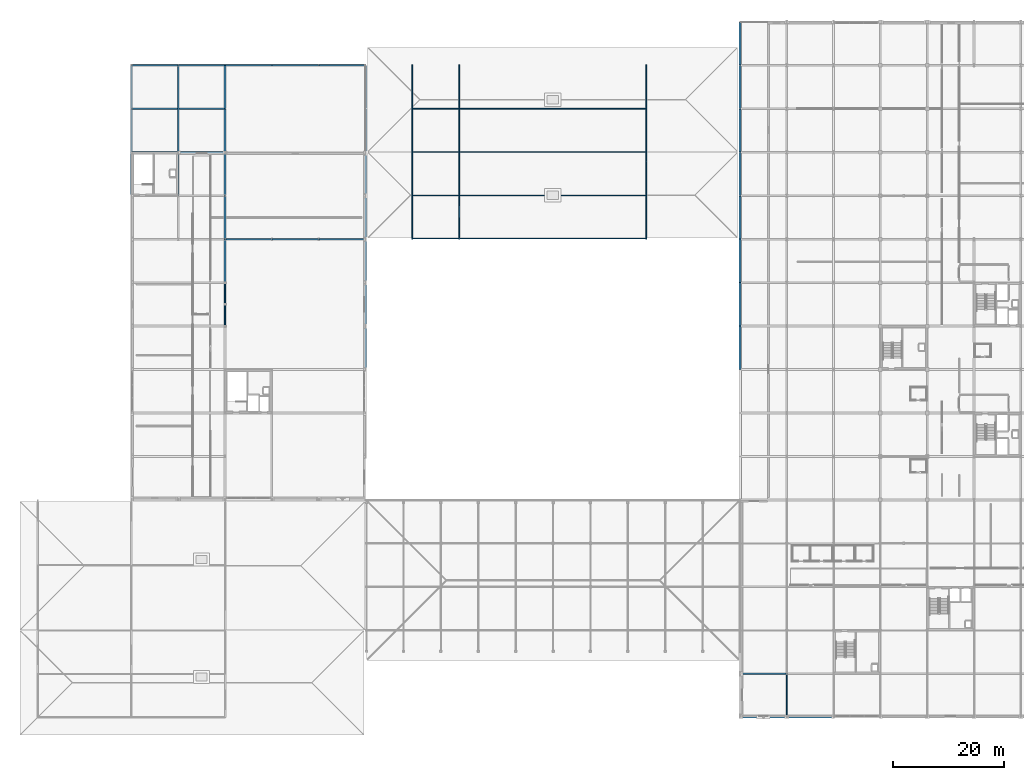
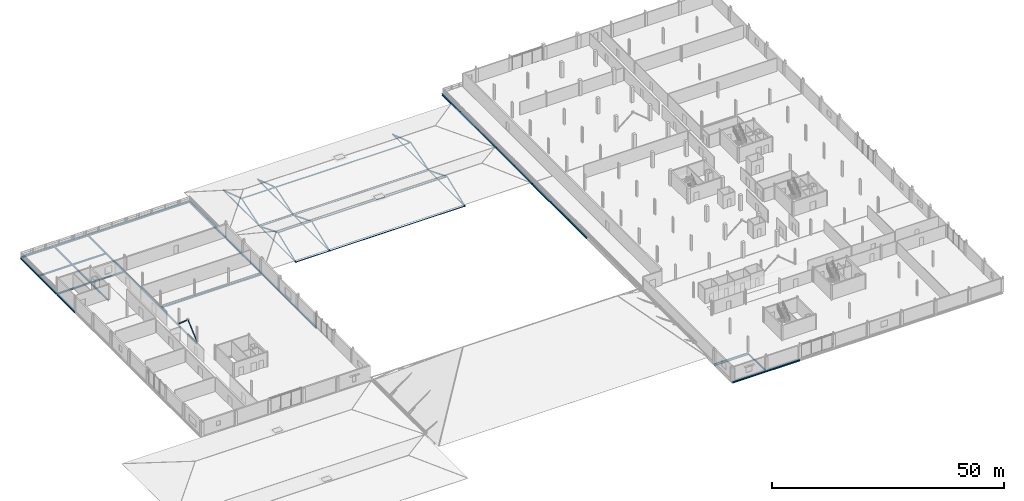
# One storey, part 37 of 77: 41 beams, 24 members.
"""IFC4 building model written with IfcOpenShell, lengths in metres."""

from ifc_helpers import new_model, si_unit, direction, frame, origin, origin_2d, place, context, subcontext, project, spatial, hollow_rectangle, hollow_circle, i_section, extrude, material, material_profile, profile_set, type_object, element, save


model = new_model("IFC4")

# Units and contexts
model_context = context("Model", 3, precision=1e-05, world=origin(), true_north=direction((0.0, 1.0)))
body_context = subcontext(model_context, "Body", "Model", "MODEL_VIEW")
ifc_project = project(units=[si_unit("LENGTHUNIT", "METRE"), si_unit("AREAUNIT", "SQUARE_METRE"), si_unit("VOLUMEUNIT", "CUBIC_METRE"), si_unit("PLANEANGLEUNIT", "RADIAN"), si_unit("MASSUNIT", "GRAM", prefix="KILO")], contexts=[model_context])

# Site, building, storey
site_placement = place(None, origin())
site = spatial("IfcSite", under=ifc_project, at=site_placement, CompositionType="ELEMENT")
building_placement = place(site_placement, origin())
building = spatial("IfcBuilding", under=site, at=building_placement, Name="Nabrawat Pavilion Hospital", CompositionType="ELEMENT")
storey_placement = place(building_placement, frame((0.0, 0.0, 14.85009765625)))
storey = spatial("IfcBuildingStorey", under=building, at=storey_placement, Name="L03", CompositionType="ELEMENT", Elevation=14.85009765625)

# Members
ifc_material = material(Name="Steel S355", Category="steel")
ifc_material_profile_1 = material_profile(ifc_material, i_section(OverallWidth=0.159912109375, OverallDepth=0.330078125, WebThickness=0.007568359375, FlangeThickness=0.011474609375, FilletRadius=0.01806640625, at=origin_2d()), Name="IPE 330")
ifc_profile_set_1 = profile_set([ifc_material_profile_1], Name="Steel S355")
member_type_1 = type_object("IfcMemberType", Name="Diagnostic Hipped Roof Rafter IPE 330", PredefinedType="RAFTER", material=ifc_profile_set_1)
member_1_placement = place(storey_placement, frame((67.199951171875, 85.800048828125, -0.35009765625), z_axis=(0.0, 0.928753098177, 0.370698911013), x_axis=(-1.0, 0.0, 0.0)))
element("IfcMember", 1, at=member_1_placement, inside=storey, type_object=member_type_1, Name="Diagnostic South Pavilion South Hipped Rafter 01", PredefinedType="RAFTER", context=body_context, shape_type="SweptSolid", body=[
    extrude(i_section(OverallWidth=0.159912109375, OverallDepth=0.330078125, WebThickness=0.007568359375, FlangeThickness=0.011474609375, FilletRadius=0.01806640625, at=origin_2d()), origin(), (0.0, 0.0, 1.0), 8.3984375),
])
member_2_placement = place(storey_placement, frame((67.199951171875, 101.39990234375, -0.35009765625), z_axis=(0.0, -0.928749103302, 0.37070891966), x_axis=(1.0, 0.0, 0.0)))
element("IfcMember", 2, at=member_2_placement, inside=storey, type_object=member_type_1, Name="Diagnostic South Pavilion North Hipped Rafter 01", PredefinedType="RAFTER", context=body_context, shape_type="SweptSolid", body=[
    extrude(i_section(OverallWidth=0.159912109375, OverallDepth=0.330078125, WebThickness=0.007568359375, FlangeThickness=0.011474609375, FilletRadius=0.01806640625, at=origin_2d()), origin(), (0.0, 0.0, 1.0), 8.398193359375),
])
member_3_placement = place(storey_placement, frame((75.60009765625, 85.800048828125, -0.35009765625), z_axis=(0.0, 0.928753098177, 0.370698911013), x_axis=(-1.0, 0.0, 0.0)))
element("IfcMember", 3, at=member_3_placement, inside=storey, type_object=member_type_1, Name="Diagnostic South Pavilion South Hipped Rafter 02", PredefinedType="RAFTER", context=body_context, shape_type="SweptSolid", body=[
    extrude(i_section(OverallWidth=0.159912109375, OverallDepth=0.330078125, WebThickness=0.007568359375, FlangeThickness=0.011474609375, FilletRadius=0.01806640625, at=origin_2d()), origin(), (0.0, 0.0, 1.0), 8.3984375),
])
member_4_placement = place(storey_placement, frame((75.60009765625, 101.39990234375, -0.35009765625), z_axis=(0.0, -0.928749103302, 0.37070891966), x_axis=(1.0, 0.0, 0.0)))
element("IfcMember", 4, at=member_4_placement, inside=storey, type_object=member_type_1, Name="Diagnostic South Pavilion North Hipped Rafter 02", PredefinedType="RAFTER", context=body_context, shape_type="SweptSolid", body=[
    extrude(i_section(OverallWidth=0.159912109375, OverallDepth=0.330078125, WebThickness=0.007568359375, FlangeThickness=0.011474609375, FilletRadius=0.01806640625, at=origin_2d()), origin(), (0.0, 0.0, 1.0), 8.398193359375),
])
member_5_placement = place(storey_placement, frame((109.199951171875, 85.800048828125, -0.35009765625), z_axis=(0.0, 0.928753098177, 0.370698911013), x_axis=(-1.0, 0.0, 0.0)))
element("IfcMember", 5, at=member_5_placement, inside=storey, type_object=member_type_1, Name="Diagnostic South Pavilion South Hipped Rafter 03", PredefinedType="RAFTER", context=body_context, shape_type="SweptSolid", body=[
    extrude(i_section(OverallWidth=0.159912109375, OverallDepth=0.330078125, WebThickness=0.007568359375, FlangeThickness=0.011474609375, FilletRadius=0.01806640625, at=origin_2d()), origin(), (0.0, 0.0, 1.0), 8.3984375),
])
member_6_placement = place(storey_placement, frame((109.199951171875, 101.39990234375, -0.35009765625), z_axis=(0.0, -0.928749103302, 0.37070891966), x_axis=(1.0, 0.0, 0.0)))
element("IfcMember", 6, at=member_6_placement, inside=storey, type_object=member_type_1, Name="Diagnostic South Pavilion North Hipped Rafter 03", PredefinedType="RAFTER", context=body_context, shape_type="SweptSolid", body=[
    extrude(i_section(OverallWidth=0.159912109375, OverallDepth=0.330078125, WebThickness=0.007568359375, FlangeThickness=0.011474609375, FilletRadius=0.01806640625, at=origin_2d()), origin(), (0.0, 0.0, 1.0), 8.398193359375),
])
for number, where, z_axis, x_axis, name in (
    (7, (67.199951171875, 101.39990234375, -0.35009765625), (0.0, 0.948893959049, 0.315595079935), (-1.0, 0.0, 0.0), "Diagnostic North Pavilion South Hipped Rafter 01"),
    (8, (67.199951171875, 117.0, -0.35009765625), (0.0, -0.948893959049, 0.315595079935), (1.0, 0.0, 0.0), "Diagnostic North Pavilion North Hipped Rafter 01"),
    (9, (75.60009765625, 101.39990234375, -0.35009765625), (0.0, 0.948893959049, 0.315595079935), (-1.0, 0.0, 0.0), "Diagnostic North Pavilion South Hipped Rafter 02"),
    (10, (75.60009765625, 117.0, -0.35009765625), (0.0, -0.948893959049, 0.315595079935), (1.0, 0.0, 0.0), "Diagnostic North Pavilion North Hipped Rafter 02"),
    (11, (109.199951171875, 101.39990234375, -0.35009765625), (0.0, 0.948893959049, 0.315595079935), (-1.0, 0.0, 0.0), "Diagnostic North Pavilion South Hipped Rafter 03"),
    (12, (109.199951171875, 117.0, -0.35009765625), (0.0, -0.948893959049, 0.315595079935), (1.0, 0.0, 0.0), "Diagnostic North Pavilion North Hipped Rafter 03"),
):
    element("IfcMember", number, at=place(storey_placement, frame(where, z_axis=z_axis, x_axis=x_axis)), inside=storey, type_object=member_type_1, Name=name, PredefinedType="RAFTER", context=body_context, shape_type="SweptSolid", body=[
        extrude(i_section(OverallWidth=0.159912109375, OverallDepth=0.330078125, WebThickness=0.007568359375, FlangeThickness=0.011474609375, FilletRadius=0.01806640625, at=origin_2d()), origin(), (0.0, 0.0, 1.0), 8.22021484375),
    ])
ifc_material_profile_2 = material_profile(ifc_material, hollow_rectangle(XDim=0.10009765625, YDim=0.199951171875, WallThickness=0.008056640625, at=origin_2d()), Name="RHS 200x100x8")
ifc_profile_set_2 = profile_set([ifc_material_profile_2], Name="Steel S355")
member_type_2 = type_object("IfcMemberType", Name="Overhanging Eave Roof Purlin RHS 200x100x8", PredefinedType="PURLIN", material=ifc_profile_set_2)
for number, where, z_axis, x_axis, name in (
    (13, (67.199951171875, 85.93994140625, -0.35009765625), (1.0, 0.0, 0.0), (0.0, 1.0, 0.0), "Diagnostic South Pavilion Eave Tie Purlin"),
    (14, (67.199951171875, 101.39990234375, -0.35009765625), (1.0, 0.0, 0.0), (0.0, 1.0, 0.0), "Diagnostic North Pavilion Eave Tie Purlin"),
):
    element("IfcMember", number, at=place(storey_placement, frame(where, z_axis=z_axis, x_axis=x_axis)), inside=storey, type_object=member_type_2, Name=name, PredefinedType="PURLIN", context=body_context, shape_type="SweptSolid", body=[
        extrude(hollow_rectangle(XDim=0.10009765625, YDim=0.199951171875, WallThickness=0.008056640625, at=origin_2d()), origin(), (0.0, 0.0, 1.0), 42.0),
    ])
ifc_material_profile_3 = material_profile(ifc_material, i_section(OverallWidth=0.10009765625, OverallDepth=0.199951171875, WebThickness=0.005615234375, FlangeThickness=0.008544921875, FilletRadius=0.011962890625, at=origin_2d()), Name="IPE 200")
ifc_profile_set_3 = profile_set([ifc_material_profile_3], Name="Steel S355")
member_type_3 = type_object("IfcMemberType", Name="Pavilion Roof Purlin IPE 200", PredefinedType="PURLIN", material=ifc_profile_set_3)
for number, where, z_axis, x_axis, name in (
    (15, (67.199951171875, 93.60009765625, 2.76318359375), (1.0, 0.0, 0.0), (0.0, 1.0, 0.0), "Diagnostic South Pavilion Roof Ridge Purlin"),
    (16, (67.199951171875, 109.199951171875, 2.244140625), (1.0, 0.0, 0.0), (0.0, 1.0, 0.0), "Diagnostic North Pavilion Roof Ridge Purlin"),
):
    element("IfcMember", number, at=place(storey_placement, frame(where, z_axis=z_axis, x_axis=x_axis)), inside=storey, type_object=member_type_3, Name=name, PredefinedType="PURLIN", context=body_context, shape_type="SweptSolid", body=[
        extrude(i_section(OverallWidth=0.10009765625, OverallDepth=0.199951171875, WebThickness=0.005615234375, FlangeThickness=0.008544921875, FilletRadius=0.011962890625, at=origin_2d()), origin(), (0.0, 0.0, 1.0), 42.0),
    ])

# Beams
ifc_material_profile_4 = material_profile(ifc_material, i_section(OverallWidth=0.300048828125, OverallDepth=0.389892578125, WebThickness=0.010986328125, FlangeThickness=0.01904296875, FilletRadius=0.027099609375, at=origin_2d()), Name="HEA 400")
ifc_profile_set_4 = profile_set([ifc_material_profile_4], Name="Steel S355")
beam_type_1 = type_object("IfcBeamType", Name="Perimeter Moment Spandrel Beam HEA 400", PredefinedType="SPANDREL", material=ifc_profile_set_4)
beam_1_placement = place(storey_placement, frame((126.02001953125, 0.0, -0.425048828125), z_axis=(1.0, 0.0, 0.0), x_axis=(0.0, 1.0, 0.0)))
element("IfcBeam", 17, at=beam_1_placement, inside=storey, type_object=beam_type_1, Name="L03 Primary X Girder 1414", PredefinedType="SPANDREL", context=body_context, shape_type="SweptSolid", body=[
    extrude(i_section(OverallWidth=0.300048828125, OverallDepth=0.389892578125, WebThickness=0.010986328125, FlangeThickness=0.01904296875, FilletRadius=0.027099609375, at=origin_2d()), origin(), (0.0, 0.0, 1.0), 8.35986328125),
])
beam_2_placement = place(storey_placement, frame((134.419921875, 0.0, -0.425048828125), z_axis=(1.0, 0.0, 0.0), x_axis=(0.0, 1.0, 0.0)))
element("IfcBeam", 18, at=beam_2_placement, inside=storey, type_object=beam_type_1, Name="L03 Primary X Girder 1415", PredefinedType="SPANDREL", context=body_context, shape_type="SweptSolid", body=[
    extrude(i_section(OverallWidth=0.300048828125, OverallDepth=0.389892578125, WebThickness=0.010986328125, FlangeThickness=0.01904296875, FilletRadius=0.027099609375, at=origin_2d()), origin(), (0.0, 0.0, 1.0), 8.360107421875),
])
beam_3_placement = place(storey_placement, frame((16.800048828125, 93.6201171875, -0.465087890625), z_axis=(0.0, 1.0, 0.0), x_axis=(-1.0, 0.0, 0.0)))
element("IfcBeam", 19, at=beam_3_placement, inside=storey, type_object=beam_type_1, Name="L03 Primary Y Beam 1594", PredefinedType="SPANDREL", context=body_context, shape_type="SweptSolid", body=[
    extrude(i_section(OverallWidth=0.300048828125, OverallDepth=0.389892578125, WebThickness=0.010986328125, FlangeThickness=0.01904296875, FilletRadius=0.027099609375, at=origin_2d()), origin(), (0.0, 0.0, 1.0), 7.759765625),
])
for number, where, z_axis, x_axis, name in (
    (20, (16.800048828125, 101.419921875, -0.425048828125), (0.0, 1.0, 0.0), (-1.0, 0.0, 0.0), "L03 Primary Y Beam 1595"),
    (21, (16.800048828125, 109.219970703125, -0.425048828125), (0.0, 1.0, 0.0), (-1.0, 0.0, 0.0), "L03 Primary Y Beam 1596"),
):
    element("IfcBeam", number, at=place(storey_placement, frame(where, z_axis=z_axis, x_axis=x_axis)), inside=storey, type_object=beam_type_1, Name=name, PredefinedType="SPANDREL", context=body_context, shape_type="SweptSolid", body=[
        extrude(i_section(OverallWidth=0.300048828125, OverallDepth=0.389892578125, WebThickness=0.010986328125, FlangeThickness=0.01904296875, FilletRadius=0.027099609375, at=origin_2d()), origin(), (0.0, 0.0, 1.0), 7.760009765625),
    ])
beam_4_placement = place(storey_placement, frame((25.199951171875, 101.419921875, -0.425048828125), z_axis=(0.0, 1.0, 0.0), x_axis=(-1.0, 0.0, 0.0)))
element("IfcBeam", 22, at=beam_4_placement, inside=storey, type_object=beam_type_1, Name="L03 Primary Y Beam 1599", PredefinedType="SPANDREL", context=body_context, shape_type="SweptSolid", body=[
    extrude(i_section(OverallWidth=0.300048828125, OverallDepth=0.389892578125, WebThickness=0.010986328125, FlangeThickness=0.01904296875, FilletRadius=0.027099609375, at=origin_2d()), origin(), (0.0, 0.0, 1.0), 15.56005859375),
])
for number, where, z_axis, x_axis, name in (
    (23, (33.60009765625, 101.419921875, -0.425048828125), (0.0, 1.0, 0.0), (-1.0, 0.0, 0.0), "L03 Primary Y Beam 1608"),
    (24, (33.60009765625, 109.219970703125, -0.425048828125), (0.0, 1.0, 0.0), (-1.0, 0.0, 0.0), "L03 Primary Y Beam 1609"),
    (25, (58.800048828125, 62.419921875, -0.465087890625), (0.0, 1.0, 0.0), (-1.0, 0.0, 0.0), "L03 Primary Y Beam 1614"),
    (26, (58.800048828125, 70.219970703125, -0.465087890625), (0.0, 1.0, 0.0), (-1.0, 0.0, 0.0), "L03 Primary Y Beam 1615"),
    (27, (58.800048828125, 78.02001953125, -0.465087890625), (0.0, 1.0, 0.0), (-1.0, 0.0, 0.0), "L03 Primary Y Beam 1616"),
    (28, (58.800048828125, 85.820068359375, -0.465087890625), (0.0, 1.0, 0.0), (-1.0, 0.0, 0.0), "L03 Primary Y Beam 1617"),
):
    element("IfcBeam", number, at=place(storey_placement, frame(where, z_axis=z_axis, x_axis=x_axis)), inside=storey, type_object=beam_type_1, Name=name, PredefinedType="SPANDREL", context=body_context, shape_type="SweptSolid", body=[
        extrude(i_section(OverallWidth=0.300048828125, OverallDepth=0.389892578125, WebThickness=0.010986328125, FlangeThickness=0.01904296875, FilletRadius=0.027099609375, at=origin_2d()), origin(), (0.0, 0.0, 1.0), 7.760009765625),
    ])
beam_5_placement = place(storey_placement, frame((58.800048828125, 93.6201171875, -0.465087890625), z_axis=(0.0, 1.0, 0.0), x_axis=(-1.0, 0.0, 0.0)))
element("IfcBeam", 29, at=beam_5_placement, inside=storey, type_object=beam_type_1, Name="L03 Primary Y Beam 1618", PredefinedType="SPANDREL", context=body_context, shape_type="SweptSolid", body=[
    extrude(i_section(OverallWidth=0.300048828125, OverallDepth=0.389892578125, WebThickness=0.010986328125, FlangeThickness=0.01904296875, FilletRadius=0.027099609375, at=origin_2d()), origin(), (0.0, 0.0, 1.0), 7.759765625),
])
for number, where, z_axis, x_axis, name in (
    (30, (58.800048828125, 101.419921875, -0.425048828125), (0.0, 1.0, 0.0), (-1.0, 0.0, 0.0), "L03 Primary Y Beam 1619"),
    (31, (58.800048828125, 109.219970703125, -0.425048828125), (0.0, 1.0, 0.0), (-1.0, 0.0, 0.0), "L03 Primary Y Beam 1620"),
    (32, (126.0, 62.419921875, -0.445068359375), (0.0, 1.0, 0.0), (-1.0, 0.0, 0.0), "L03 Primary Y Beam 1632"),
    (33, (126.0, 70.219970703125, -0.445068359375), (0.0, 1.0, 0.0), (-1.0, 0.0, 0.0), "L03 Primary Y Beam 1633"),
    (34, (126.0, 78.02001953125, -0.445068359375), (0.0, 1.0, 0.0), (-1.0, 0.0, 0.0), "L03 Primary Y Beam 1634"),
    (35, (126.0, 85.820068359375, -0.445068359375), (0.0, 1.0, 0.0), (-1.0, 0.0, 0.0), "L03 Primary Y Beam 1635"),
):
    element("IfcBeam", number, at=place(storey_placement, frame(where, z_axis=z_axis, x_axis=x_axis)), inside=storey, type_object=beam_type_1, Name=name, PredefinedType="SPANDREL", context=body_context, shape_type="SweptSolid", body=[
        extrude(i_section(OverallWidth=0.300048828125, OverallDepth=0.389892578125, WebThickness=0.010986328125, FlangeThickness=0.01904296875, FilletRadius=0.027099609375, at=origin_2d()), origin(), (0.0, 0.0, 1.0), 7.760009765625),
    ])
beam_6_placement = place(storey_placement, frame((126.0, 93.6201171875, -0.445068359375), z_axis=(0.0, 1.0, 0.0), x_axis=(-1.0, 0.0, 0.0)))
element("IfcBeam", 36, at=beam_6_placement, inside=storey, type_object=beam_type_1, Name="L03 Primary Y Beam 1636", PredefinedType="SPANDREL", context=body_context, shape_type="SweptSolid", body=[
    extrude(i_section(OverallWidth=0.300048828125, OverallDepth=0.389892578125, WebThickness=0.010986328125, FlangeThickness=0.01904296875, FilletRadius=0.027099609375, at=origin_2d()), origin(), (0.0, 0.0, 1.0), 7.759765625),
])
for number, where, z_axis, x_axis, name in (
    (37, (126.0, 101.419921875, -0.445068359375), (0.0, 1.0, 0.0), (-1.0, 0.0, 0.0), "L03 Primary Y Beam 1637"),
    (38, (126.0, 109.219970703125, -0.445068359375), (0.0, 1.0, 0.0), (-1.0, 0.0, 0.0), "L03 Primary Y Beam 1638"),
    (39, (126.0, 117.02001953125, -0.445068359375), (0.0, 1.0, 0.0), (-1.0, 0.0, 0.0), "L03 Primary Y Beam 1639"),
):
    element("IfcBeam", number, at=place(storey_placement, frame(where, z_axis=z_axis, x_axis=x_axis)), inside=storey, type_object=beam_type_1, Name=name, PredefinedType="SPANDREL", context=body_context, shape_type="SweptSolid", body=[
        extrude(i_section(OverallWidth=0.300048828125, OverallDepth=0.389892578125, WebThickness=0.010986328125, FlangeThickness=0.01904296875, FilletRadius=0.027099609375, at=origin_2d()), origin(), (0.0, 0.0, 1.0), 7.760009765625),
    ])

# Members
ifc_material_profile_5 = material_profile(ifc_material, hollow_circle(Radius=0.122314453125, WallThickness=0.012451171875, at=origin_2d()), Name="CHS 244.5x12.5")
ifc_profile_set_5 = profile_set([ifc_material_profile_5], Name="Steel S355")
member_type_4 = type_object("IfcMemberType", Name="Space Frame Transverse Chord CHS 244.5x12.5", PredefinedType="CHORD", material=ifc_profile_set_5)
for number, where, z_axis, x_axis, name in (
    (40, (67.199951171875, 85.800048828125, -0.35009765625), (0.0, 1.0, 0.0), (-1.0, 0.0, 0.0), "Diagnostic South Pavilion Truss Bottom Tie Chord 01"),
    (41, (75.60009765625, 85.800048828125, -0.35009765625), (0.0, 1.0, 0.0), (-1.0, 0.0, 0.0), "Diagnostic South Pavilion Truss Bottom Tie Chord 02"),
    (42, (109.199951171875, 85.800048828125, -0.35009765625), (0.0, 1.0, 0.0), (-1.0, 0.0, 0.0), "Diagnostic South Pavilion Truss Bottom Tie Chord 03"),
):
    element("IfcMember", number, at=place(storey_placement, frame(where, z_axis=z_axis, x_axis=x_axis)), inside=storey, type_object=member_type_4, Name=name, PredefinedType="CHORD", context=body_context, shape_type="SweptSolid", body=[
        extrude(hollow_circle(Radius=0.122314453125, WallThickness=0.012451171875, at=origin_2d()), origin(), (0.0, 0.0, 1.0), 15.599853515625),
    ])
for number, where, z_axis, x_axis, name in (
    (43, (67.199951171875, 101.39990234375, -0.35009765625), (0.0, 1.0, 0.0), (-1.0, 0.0, 0.0), "Diagnostic North Pavilion Truss Bottom Tie Chord 01"),
    (44, (75.60009765625, 101.39990234375, -0.35009765625), (0.0, 1.0, 0.0), (-1.0, 0.0, 0.0), "Diagnostic North Pavilion Truss Bottom Tie Chord 02"),
    (45, (109.199951171875, 101.39990234375, -0.35009765625), (0.0, 1.0, 0.0), (-1.0, 0.0, 0.0), "Diagnostic North Pavilion Truss Bottom Tie Chord 03"),
):
    element("IfcMember", number, at=place(storey_placement, frame(where, z_axis=z_axis, x_axis=x_axis)), inside=storey, type_object=member_type_4, Name=name, PredefinedType="CHORD", context=body_context, shape_type="SweptSolid", body=[
        extrude(hollow_circle(Radius=0.122314453125, WallThickness=0.012451171875, at=origin_2d()), origin(), (0.0, 0.0, 1.0), 15.60009765625),
    ])

# Beams
ifc_material_profile_6 = material_profile(ifc_material, i_section(OverallWidth=0.179931640625, OverallDepth=0.39990234375, WebThickness=0.008544921875, FlangeThickness=0.013427734375, FilletRadius=0.02099609375, at=origin_2d()), Name="IPE 400")
ifc_profile_set_6 = profile_set([ifc_material_profile_6], Name="Steel S355")
beam_type_2 = type_object("IfcBeamType", Name="Standard Y Floor Beam IPE 400", PredefinedType="BEAM", material=ifc_profile_set_6)
beam_7_placement = place(storey_placement, frame((134.39990234375, 0.02001953125, -0.43017578125), z_axis=(0.0, 1.0, 0.0), x_axis=(-1.0, 0.0, 0.0)))
element("IfcBeam", 46, at=beam_7_placement, inside=storey, type_object=beam_type_2, Name="L03 Primary Y Beam 1640", PredefinedType="BEAM", context=body_context, shape_type="SweptSolid", body=[
    extrude(i_section(OverallWidth=0.179931640625, OverallDepth=0.39990234375, WebThickness=0.008544921875, FlangeThickness=0.013427734375, FilletRadius=0.02099609375, at=origin_2d()), origin(), (0.0, 0.0, 1.0), 7.760009765625),
])
ifc_material_profile_7 = material_profile(ifc_material, i_section(OverallWidth=0.300048828125, OverallDepth=0.360107421875, WebThickness=0.012451171875, FlangeThickness=0.0224609375, FilletRadius=0.027099609375, at=origin_2d()), Name="HEB 360")
ifc_profile_set_7 = profile_set([ifc_material_profile_7], Name="Steel S355")
beam_type_3 = type_object("IfcBeamType", Name="Surgical Perimeter Spandrel HEB 360", PredefinedType="SPANDREL", material=ifc_profile_set_7)
for number, where, z_axis, x_axis, name in (
    (47, (33.6201171875, 85.800048828125, -0.4501953125), (1.0, 0.0, 0.0), (0.0, 1.0, 0.0), "L03 Primary X Girder 1532"),
    (48, (42.02001953125, 85.800048828125, -0.4501953125), (1.0, 0.0, 0.0), (0.0, 1.0, 0.0), "L03 Primary X Girder 1533"),
):
    element("IfcBeam", number, at=place(storey_placement, frame(where, z_axis=z_axis, x_axis=x_axis)), inside=storey, type_object=beam_type_3, Name=name, PredefinedType="SPANDREL", context=body_context, shape_type="SweptSolid", body=[
        extrude(i_section(OverallWidth=0.300048828125, OverallDepth=0.360107421875, WebThickness=0.012451171875, FlangeThickness=0.0224609375, FilletRadius=0.027099609375, at=origin_2d()), origin(), (0.0, 0.0, 1.0), 8.35986328125),
    ])
beam_8_placement = place(storey_placement, frame((50.419921875, 85.800048828125, -0.4501953125), z_axis=(1.0, 0.0, 0.0), x_axis=(0.0, 1.0, 0.0)))
element("IfcBeam", 49, at=beam_8_placement, inside=storey, type_object=beam_type_3, Name="L03 Primary X Girder 1534", PredefinedType="SPANDREL", context=body_context, shape_type="SweptSolid", body=[
    extrude(i_section(OverallWidth=0.300048828125, OverallDepth=0.360107421875, WebThickness=0.012451171875, FlangeThickness=0.0224609375, FilletRadius=0.027099609375, at=origin_2d()), origin(), (0.0, 0.0, 1.0), 8.360107421875),
])
beam_9_placement = place(storey_placement, frame((16.820068359375, 101.39990234375, -0.4501953125), z_axis=(1.0, 0.0, 0.0), x_axis=(0.0, 1.0, 0.0)))
element("IfcBeam", 50, at=beam_9_placement, inside=storey, type_object=beam_type_3, Name="L03 Primary X Girder 1551", PredefinedType="SPANDREL", context=body_context, shape_type="SweptSolid", body=[
    extrude(i_section(OverallWidth=0.300048828125, OverallDepth=0.360107421875, WebThickness=0.012451171875, FlangeThickness=0.0224609375, FilletRadius=0.027099609375, at=origin_2d()), origin(), (0.0, 0.0, 1.0), 8.35986328125),
])
beam_10_placement = place(storey_placement, frame((25.219970703125, 101.39990234375, -0.4501953125), z_axis=(1.0, 0.0, 0.0), x_axis=(0.0, 1.0, 0.0)))
element("IfcBeam", 51, at=beam_10_placement, inside=storey, type_object=beam_type_3, Name="L03 Primary X Girder 1552", PredefinedType="SPANDREL", context=body_context, shape_type="SweptSolid", body=[
    extrude(i_section(OverallWidth=0.300048828125, OverallDepth=0.360107421875, WebThickness=0.012451171875, FlangeThickness=0.0224609375, FilletRadius=0.027099609375, at=origin_2d()), origin(), (0.0, 0.0, 1.0), 8.360107421875),
])
beam_11_placement = place(storey_placement, frame((16.820068359375, 109.199951171875, -0.41015625), z_axis=(1.0, 0.0, 0.0), x_axis=(0.0, 1.0, 0.0)))
element("IfcBeam", 52, at=beam_11_placement, inside=storey, type_object=beam_type_3, Name="L03 Primary X Girder 1559", PredefinedType="SPANDREL", context=body_context, shape_type="SweptSolid", body=[
    extrude(i_section(OverallWidth=0.300048828125, OverallDepth=0.360107421875, WebThickness=0.012451171875, FlangeThickness=0.0224609375, FilletRadius=0.027099609375, at=origin_2d()), origin(), (0.0, 0.0, 1.0), 16.760009765625),
])
beam_12_placement = place(storey_placement, frame((16.820068359375, 117.0, -0.41015625), z_axis=(1.0, 0.0, 0.0), x_axis=(0.0, 1.0, 0.0)))
element("IfcBeam", 53, at=beam_12_placement, inside=storey, type_object=beam_type_3, Name="L03 Primary X Girder 1566", PredefinedType="SPANDREL", context=body_context, shape_type="SweptSolid", body=[
    extrude(i_section(OverallWidth=0.300048828125, OverallDepth=0.360107421875, WebThickness=0.012451171875, FlangeThickness=0.0224609375, FilletRadius=0.027099609375, at=origin_2d()), origin(), (0.0, 0.0, 1.0), 8.35986328125),
])
beam_13_placement = place(storey_placement, frame((25.219970703125, 117.0, -0.41015625), z_axis=(1.0, 0.0, 0.0), x_axis=(0.0, 1.0, 0.0)))
element("IfcBeam", 54, at=beam_13_placement, inside=storey, type_object=beam_type_3, Name="L03 Primary X Girder 1567", PredefinedType="SPANDREL", context=body_context, shape_type="SweptSolid", body=[
    extrude(i_section(OverallWidth=0.300048828125, OverallDepth=0.360107421875, WebThickness=0.012451171875, FlangeThickness=0.0224609375, FilletRadius=0.027099609375, at=origin_2d()), origin(), (0.0, 0.0, 1.0), 8.360107421875),
])
for number, where, z_axis, x_axis, name in (
    (55, (33.6201171875, 117.0, -0.41015625), (1.0, 0.0, 0.0), (0.0, 1.0, 0.0), "L03 Primary X Girder 1568"),
    (56, (42.02001953125, 117.0, -0.41015625), (1.0, 0.0, 0.0), (0.0, 1.0, 0.0), "L03 Primary X Girder 1569"),
):
    element("IfcBeam", number, at=place(storey_placement, frame(where, z_axis=z_axis, x_axis=x_axis)), inside=storey, type_object=beam_type_3, Name=name, PredefinedType="SPANDREL", context=body_context, shape_type="SweptSolid", body=[
        extrude(i_section(OverallWidth=0.300048828125, OverallDepth=0.360107421875, WebThickness=0.012451171875, FlangeThickness=0.0224609375, FilletRadius=0.027099609375, at=origin_2d()), origin(), (0.0, 0.0, 1.0), 8.35986328125),
    ])
beam_14_placement = place(storey_placement, frame((50.419921875, 117.0, -0.41015625), z_axis=(1.0, 0.0, 0.0), x_axis=(0.0, 1.0, 0.0)))
element("IfcBeam", 57, at=beam_14_placement, inside=storey, type_object=beam_type_3, Name="L03 Primary X Girder 1570", PredefinedType="SPANDREL", context=body_context, shape_type="SweptSolid", body=[
    extrude(i_section(OverallWidth=0.300048828125, OverallDepth=0.360107421875, WebThickness=0.012451171875, FlangeThickness=0.0224609375, FilletRadius=0.027099609375, at=origin_2d()), origin(), (0.0, 0.0, 1.0), 8.360107421875),
])
ifc_material_profile_8 = material_profile(ifc_material, i_section(OverallWidth=0.300048828125, OverallDepth=0.35009765625, WebThickness=0.009521484375, FlangeThickness=0.017578125, FilletRadius=0.027099609375, at=origin_2d()), Name="HEA 360")
ifc_profile_set_8 = profile_set([ifc_material_profile_8], Name="Steel S355")
beam_type_4 = type_object("IfcBeamType", Name="Surgical Stiffened Beam HEA 360", PredefinedType="BEAM", material=ifc_profile_set_8)
beam_15_placement = place(storey_placement, frame((25.199951171875, 93.6201171875, -0.445068359375), z_axis=(0.0, 1.0, 0.0), x_axis=(-1.0, 0.0, 0.0)))
element("IfcBeam", 58, at=beam_15_placement, inside=storey, type_object=beam_type_4, Name="L03 Primary Y Beam 1598", PredefinedType="BEAM", context=body_context, shape_type="SweptSolid", body=[
    extrude(i_section(OverallWidth=0.300048828125, OverallDepth=0.35009765625, WebThickness=0.009521484375, FlangeThickness=0.017578125, FilletRadius=0.027099609375, at=origin_2d()), origin(), (0.0, 0.0, 1.0), 7.759765625),
])
for number, where, z_axis, x_axis, name in (
    (59, (33.60009765625, 70.219970703125, -0.445068359375), (0.0, 1.0, 0.0), (-1.0, 0.0, 0.0), "L03 Primary Y Beam 1604"),
    (60, (33.60009765625, 78.02001953125, -0.445068359375), (0.0, 1.0, 0.0), (-1.0, 0.0, 0.0), "L03 Primary Y Beam 1605"),
    (61, (33.60009765625, 85.820068359375, -0.445068359375), (0.0, 1.0, 0.0), (-1.0, 0.0, 0.0), "L03 Primary Y Beam 1606"),
):
    element("IfcBeam", number, at=place(storey_placement, frame(where, z_axis=z_axis, x_axis=x_axis)), inside=storey, type_object=beam_type_4, Name=name, PredefinedType="BEAM", context=body_context, shape_type="SweptSolid", body=[
        extrude(i_section(OverallWidth=0.300048828125, OverallDepth=0.35009765625, WebThickness=0.009521484375, FlangeThickness=0.017578125, FilletRadius=0.027099609375, at=origin_2d()), origin(), (0.0, 0.0, 1.0), 7.760009765625),
    ])
beam_16_placement = place(storey_placement, frame((33.60009765625, 93.6201171875, -0.445068359375), z_axis=(0.0, 1.0, 0.0), x_axis=(-1.0, 0.0, 0.0)))
element("IfcBeam", 62, at=beam_16_placement, inside=storey, type_object=beam_type_4, Name="L03 Primary Y Beam 1607", PredefinedType="BEAM", context=body_context, shape_type="SweptSolid", body=[
    extrude(i_section(OverallWidth=0.300048828125, OverallDepth=0.35009765625, WebThickness=0.009521484375, FlangeThickness=0.017578125, FilletRadius=0.027099609375, at=origin_2d()), origin(), (0.0, 0.0, 1.0), 7.759765625),
])

# Members
ifc_material_profile_9 = material_profile(ifc_material, hollow_rectangle(XDim=0.179931640625, YDim=0.179931640625, WallThickness=0.010009765625, at=origin_2d()), Name="SHS 180x180x10")
ifc_profile_set_9 = profile_set([ifc_material_profile_9], Name="Steel S355")
member_type_5 = type_object("IfcMemberType", Name="Upper Seismic Chevron Brace SHS 180x180x10", PredefinedType="BRACE", material=ifc_profile_set_9)
member_7_placement = place(storey_placement, frame((33.60009765625, 70.199951171875, 0.0498046875), z_axis=(0.0, 0.748990298134, 0.662580963582), x_axis=(-1.0, 0.0, 0.0)))
element("IfcMember", 63, at=member_7_placement, inside=storey, type_object=member_type_5, Name="L03 Seismic Concentric Chevron Brace 033", PredefinedType="BRACE", context=body_context, shape_type="SweptSolid", body=[
    extrude(hollow_rectangle(XDim=0.179931640625, YDim=0.179931640625, WallThickness=0.010009765625, at=origin_2d()), origin(), (0.0, 0.0, 1.0), 5.207275390625),
])
member_8_placement = place(storey_placement, frame((33.60009765625, 78.0, 0.0498046875), z_axis=(0.0, -0.748969713833, 0.66260423162), x_axis=(1.0, 0.0, 0.0)))
element("IfcMember", 64, at=member_8_placement, inside=storey, type_object=member_type_5, Name="L03 Seismic Concentric Chevron Brace 034", PredefinedType="BRACE", context=body_context, shape_type="SweptSolid", body=[
    extrude(hollow_rectangle(XDim=0.179931640625, YDim=0.179931640625, WallThickness=0.010009765625, at=origin_2d()), origin(), (0.0, 0.0, 1.0), 5.20703125),
])

# Beam
ifc_material_profile_10 = material_profile(ifc_material, i_section(OverallWidth=0.219970703125, OverallDepth=0.60009765625, WebThickness=0.011962890625, FlangeThickness=0.01904296875, FilletRadius=0.02392578125, at=origin_2d()), Name="IPE 600")
ifc_profile_set_10 = profile_set([ifc_material_profile_10], Name="Steel S355")
beam_type_5 = type_object("IfcBeamType", Name="Wide-Bay Floor Girder IPE 600", PredefinedType="USERDEFINED", material=ifc_profile_set_10)
beam_17_placement = place(storey_placement, frame((126.02001953125, 7.800048828125, -0.530029296875), z_axis=(1.0, 0.0, 0.0), x_axis=(0.0, 1.0, 0.0)))
element("IfcBeam", 65, at=beam_17_placement, inside=storey, type_object=beam_type_5, Name="L03 Primary X Girder 1422", ObjectType="GIRDER", PredefinedType="USERDEFINED", context=body_context, shape_type="SweptSolid", body=[
    extrude(i_section(OverallWidth=0.219970703125, OverallDepth=0.60009765625, WebThickness=0.011962890625, FlangeThickness=0.01904296875, FilletRadius=0.02392578125, at=origin_2d()), origin(), (0.0, 0.0, 1.0), 8.35986328125),
])

save(model, "model.ifc")
